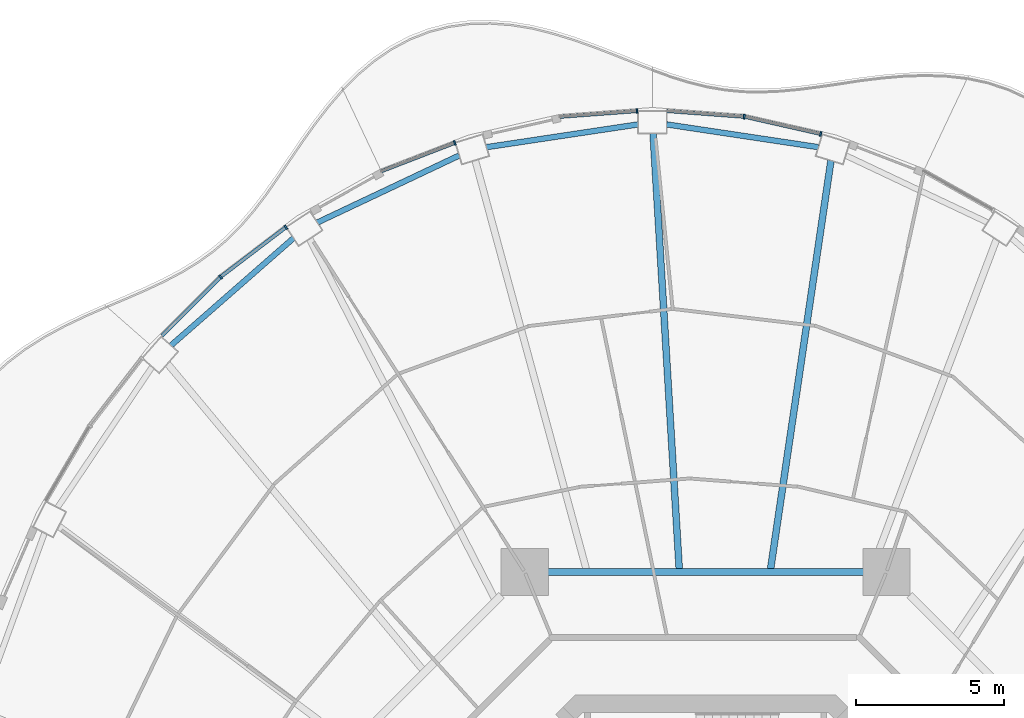
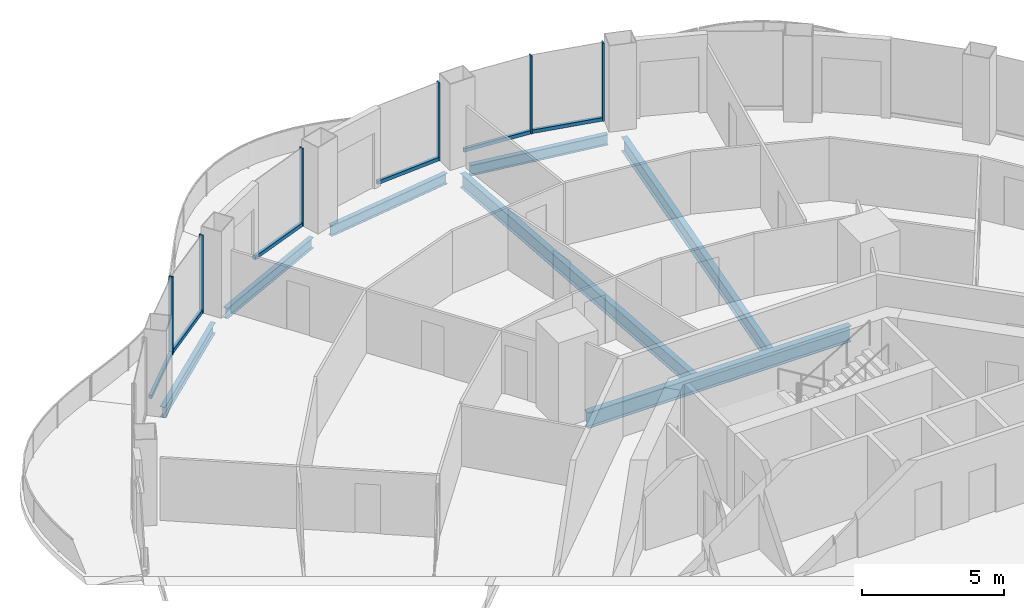
# One storey, part 6 of 18: 12 members, 7 beams, 6 elements without a shape of their own.
"""IFC4 building model written with IfcOpenShell, lengths in metres."""

from ifc_helpers import new_model, si_unit, direction, frame, origin, origin_2d, place, context, subcontext, project, spatial, rectangle, i_section, extrude, material, layer, layer_set, material_profile, profile_set, type_object, element, aggregate, save


model = new_model("IFC4")

# Units and contexts
model_context = context("Model", 3, precision=1e-05, world=origin(), true_north=direction((0.0, 1.0)))
body_context = subcontext(model_context, "Body", "Model", "MODEL_VIEW")
ifc_project = project(units=[si_unit("LENGTHUNIT", "METRE"), si_unit("AREAUNIT", "SQUARE_METRE"), si_unit("VOLUMEUNIT", "CUBIC_METRE"), si_unit("PLANEANGLEUNIT", "RADIAN"), si_unit("MASSUNIT", "GRAM", prefix="KILO")], contexts=[model_context])

# Site, building, storey
site_placement = place(None, origin())
site = spatial("IfcSite", under=ifc_project, at=site_placement, CompositionType="ELEMENT")
building_placement = place(site_placement, origin())
building = spatial("IfcBuilding", under=site, at=building_placement, Name="Nagisa Residences", CompositionType="ELEMENT")
storey_placement = place(building_placement, frame((0.0, 0.0, 249.199951171875)))
storey = spatial("IfcBuildingStorey", under=building, at=storey_placement, Name="L63", CompositionType="ELEMENT", Elevation=249.199951171875)

# Curtain wall, member
ifc_material_1 = material(Name="Concrete-coloured aluminium curtain wall system", Category="concrete")
ifc_layer = layer(ifc_material_1, 0.159912109375)
ifc_layer_set = layer_set([ifc_layer], Name="CW1 CURTAIN WALL")
curtain_wall_type = type_object("IfcCurtainWallType", Name="CW1 CURTAIN WALL", PredefinedType="NOTDEFINED", material=ifc_layer_set)
curtain_wall_1_placement = place(storey_placement, origin())
curtain_wall_1 = element("IfcCurtainWall", 1, at=curtain_wall_1_placement, inside=storey, type_object=curtain_wall_type, Name="cw:CW1:L63:10", PredefinedType="NOTDEFINED")
ifc_material_2 = material(Name="Concrete-coloured aluminium", Category="concrete")
ifc_material_profile_1 = material_profile(ifc_material_2, rectangle(XDim=0.159912109375, YDim=0.06005859375, at=origin_2d()), Name="CW1 MULLION 160x60")
ifc_profile_set_1 = profile_set([ifc_material_profile_1], Name="Concrete-coloured aluminium")
member_type_1 = type_object("IfcMemberType", Name="CW1 MULLION 160x60", PredefinedType="MULLION", material=ifc_profile_set_1)
member_1_placement = place(storey_placement, frame((3.895263671875, 29.61328125, 0.0), z_axis=(0.0, 0.0, 1.0), x_axis=(-0.2207639201, -0.975327274089, 0.0)))
member_1 = element("IfcMember", 2, at=member_1_placement, type_object=member_type_1, Name="CW1 mullion", PredefinedType="MULLION", context=body_context, shape_type="SweptSolid", body=[
    extrude(rectangle(XDim=0.159912109375, YDim=0.06005859375, at=origin_2d()), origin(), (0.0, 0.0, 1.0), 3.35009765625),
])

curtain_wall_2_placement = place(storey_placement, origin())
curtain_wall_2 = element("IfcCurtainWall", 3, at=curtain_wall_2_placement, inside=storey, type_object=curtain_wall_type, Name="cw:CW1:L63:11", PredefinedType="NOTDEFINED")
member_2_placement = place(storey_placement, frame((1.305908203125, 30.19580078125, 0.0), z_axis=(0.0, 0.0, 1.0), x_axis=(-0.074377355493, -0.997230168512, 0.0)))
member_2 = element("IfcMember", 4, at=member_2_placement, type_object=member_type_1, Name="CW1 mullion", PredefinedType="MULLION", context=body_context, shape_type="SweptSolid", body=[
    extrude(rectangle(XDim=0.159912109375, YDim=0.06005859375, at=origin_2d()), origin(), (0.0, 0.0, 1.0), 3.35009765625),
])

curtain_wall_3_placement = place(storey_placement, origin())
curtain_wall_3 = element("IfcCurtainWall", 5, at=curtain_wall_3_placement, inside=storey, type_object=curtain_wall_type, Name="cw:CW1:L63:12", PredefinedType="NOTDEFINED")
member_3_placement = place(storey_placement, frame((-2.322509765625, 30.388427734375, 0.0), z_axis=(0.0, 0.0, 1.0), x_axis=(0.074377355493, -0.997230168512, 0.0)))
member_3 = element("IfcMember", 6, at=member_3_placement, type_object=member_type_1, Name="CW1 mullion", PredefinedType="MULLION", context=body_context, shape_type="SweptSolid", body=[
    extrude(rectangle(XDim=0.159912109375, YDim=0.06005859375, at=origin_2d()), origin(), (0.0, 0.0, 1.0), 3.35009765625),
])

curtain_wall_4_placement = place(storey_placement, origin())
curtain_wall_4 = element("IfcCurtainWall", 7, at=curtain_wall_4_placement, inside=storey, type_object=curtain_wall_type, Name="cw:CW1:L63:14", PredefinedType="NOTDEFINED")
member_4_placement = place(storey_placement, frame((-8.495361328125, 29.308837890625, 0.0), z_axis=(0.0, 0.0, 1.0), x_axis=(0.360327770268, -0.932825759707, 0.0)))
member_4 = element("IfcMember", 8, at=member_4_placement, type_object=member_type_1, Name="CW1 mullion", PredefinedType="MULLION", context=body_context, shape_type="SweptSolid", body=[
    extrude(rectangle(XDim=0.159912109375, YDim=0.06005859375, at=origin_2d()), origin(), (0.0, 0.0, 1.0), 3.35009765625),
])

curtain_wall_5_placement = place(storey_placement, origin())
curtain_wall_5 = element("IfcCurtainWall", 9, at=curtain_wall_5_placement, inside=storey, type_object=curtain_wall_type, Name="cw:CW1:L63:16", PredefinedType="NOTDEFINED")
member_5_placement = place(storey_placement, frame((-14.20849609375, 26.45361328125, 0.0), z_axis=(0.0, 0.0, 1.0), x_axis=(0.605255421737, -0.79603132756, 0.0)))
member_5 = element("IfcMember", 10, at=member_5_placement, type_object=member_type_1, Name="CW1 mullion", PredefinedType="MULLION", context=body_context, shape_type="SweptSolid", body=[
    extrude(rectangle(XDim=0.159912109375, YDim=0.06005859375, at=origin_2d()), origin(), (0.0, 0.0, 1.0), 3.35009765625),
])

curtain_wall_6_placement = place(storey_placement, origin())
curtain_wall_6 = element("IfcCurtainWall", 11, at=curtain_wall_6_placement, inside=storey, type_object=curtain_wall_type, Name="cw:CW1:L63:17", PredefinedType="NOTDEFINED")
member_6_placement = place(storey_placement, frame((-16.417724609375, 24.769775390625, 0.0), z_axis=(0.0, 0.0, 1.0), x_axis=(0.706376885714, -0.707835924016, 0.0)))
member_6 = element("IfcMember", 12, at=member_6_placement, type_object=member_type_1, Name="CW1 mullion", PredefinedType="MULLION", context=body_context, shape_type="SweptSolid", body=[
    extrude(rectangle(XDim=0.159912109375, YDim=0.06005859375, at=origin_2d()), origin(), (0.0, 0.0, 1.0), 3.35009765625),
])

# Member
ifc_material_3 = material(Name="Concrete-coloured aluminium", Category="concrete")
ifc_material_profile_2 = material_profile(ifc_material_3, rectangle(XDim=0.1201171875, YDim=0.14990234375, at=origin_2d()), Name="CW1 TRANSOM 120x150")
ifc_profile_set_2 = profile_set([ifc_material_profile_2], Name="Concrete-coloured aluminium")
member_type_2 = type_object("IfcMemberType", Name="CW1 TRANSOM 120x150", PredefinedType="USERDEFINED", material=ifc_profile_set_2)
member_7_placement = place(storey_placement, frame((3.924560546875, 29.606689453125, 0.074951171875), z_axis=(-0.975324089124, 0.220777990694, 0.0), x_axis=(-0.220777990694, -0.975324089124, 0.0)))
member_7 = element("IfcMember", 13, at=member_7_placement, type_object=member_type_2, Name="CW1 transom", ObjectType="TRANSOM", PredefinedType="USERDEFINED", context=body_context, shape_type="SweptSolid", body=[
    extrude(rectangle(XDim=0.1201171875, YDim=0.14990234375, at=origin_2d()), origin(), (0.0, 0.0, 1.0), 2.666015625),
])

aggregate(curtain_wall_1, [member_1, member_7])

member_8_placement = place(storey_placement, frame((1.335693359375, 30.193603515625, 0.074951171875), z_axis=(-0.997233213085, 0.074336523458, 0.0), x_axis=(-0.074336523458, -0.997233213085, 0.0)))
member_8 = element("IfcMember", 14, at=member_8_placement, type_object=member_type_2, Name="CW1 transom", ObjectType="TRANSOM", PredefinedType="USERDEFINED", context=body_context, shape_type="SweptSolid", body=[
    extrude(rectangle(XDim=0.1201171875, YDim=0.14990234375, at=origin_2d()), origin(), (0.0, 0.0, 1.0), 2.650390625),
])

aggregate(curtain_wall_2, [member_2, member_8])

member_9_placement = place(storey_placement, frame((-2.292724609375, 30.390625, 0.074951171875), z_axis=(-0.997233213085, -0.074336523458, 0.0), x_axis=(0.074336523458, -0.997233213085, 0.0)))
member_9 = element("IfcMember", 15, at=member_9_placement, type_object=member_type_2, Name="CW1 transom", ObjectType="TRANSOM", PredefinedType="USERDEFINED", context=body_context, shape_type="SweptSolid", body=[
    extrude(rectangle(XDim=0.1201171875, YDim=0.14990234375, at=origin_2d()), origin(), (0.0, 0.0, 1.0), 2.650390625),
])

aggregate(curtain_wall_3, [member_3, member_9])

member_10_placement = place(storey_placement, frame((-8.46728515625, 29.319580078125, 0.074951171875), z_axis=(-0.932838255163, -0.360295420044, 0.0), x_axis=(0.360295420044, -0.932838255163, 0.0)))
member_10 = element("IfcMember", 16, at=member_10_placement, type_object=member_type_2, Name="CW1 transom", ObjectType="TRANSOM", PredefinedType="USERDEFINED", context=body_context, shape_type="SweptSolid", body=[
    extrude(rectangle(XDim=0.1201171875, YDim=0.14990234375, at=origin_2d()), origin(), (0.0, 0.0, 1.0), 2.6962890625),
])

aggregate(curtain_wall_4, [member_4, member_10])

member_11_placement = place(storey_placement, frame((-14.1845703125, 26.471923828125, 0.074951171875), z_axis=(-0.796022158395, -0.605267480825, 0.0), x_axis=(0.605267480825, -0.796022158395, 0.0)))
member_11 = element("IfcMember", 17, at=member_11_placement, type_object=member_type_2, Name="CW1 transom", ObjectType="TRANSOM", PredefinedType="USERDEFINED", context=body_context, shape_type="SweptSolid", body=[
    extrude(rectangle(XDim=0.1201171875, YDim=0.14990234375, at=origin_2d()), origin(), (0.0, 0.0, 1.0), 2.788818359375),
])

aggregate(curtain_wall_5, [member_5, member_11])

member_12_placement = place(storey_placement, frame((-16.396484375, 24.791015625, 0.074951171875), z_axis=(-0.707836044127, -0.706376765356, 0.0), x_axis=(0.706376765356, -0.707836044127, 0.0)))
member_12 = element("IfcMember", 18, at=member_12_placement, type_object=member_type_2, Name="CW1 transom", ObjectType="TRANSOM", PredefinedType="USERDEFINED", context=body_context, shape_type="SweptSolid", body=[
    extrude(rectangle(XDim=0.1201171875, YDim=0.14990234375, at=origin_2d()), origin(), (0.0, 0.0, 1.0), 2.84423828125),
])

aggregate(curtain_wall_6, [member_6, member_12])

# Beams
ifc_material_4 = material(Name="Steel ASTM A572 Gr 50", Category="steel")
ifc_material_profile_3 = material_profile(ifc_material_4, i_section(OverallWidth=0.2529296875, OverallDepth=0.677978515625, WebThickness=0.01171875, FlangeThickness=0.016357421875, at=origin_2d()), Name="W690x125")
ifc_profile_set_3 = profile_set([ifc_material_profile_3], Name="Steel ASTM A572 Gr 50")
beam_type_1 = type_object("IfcBeamType", Name="Inner ring beam W690x125", PredefinedType="BEAM", material=ifc_profile_set_3)
beam_1_placement = place(storey_placement, frame((5.343017578125, 14.781982421875, -0.598876953125), z_axis=(-1.0, 0.0, 0.0), x_axis=(0.0, -1.0, 0.0)))
element("IfcBeam", 19, at=beam_1_placement, inside=storey, type_object=beam_type_1, Name="beam:L63:ib2", PredefinedType="BEAM", context=body_context, shape_type="SweptSolid", body=[
    extrude(i_section(OverallWidth=0.2529296875, OverallDepth=0.677978515625, WebThickness=0.01171875, FlangeThickness=0.016357421875, at=origin_2d()), origin(), (0.0, 0.0, 1.0), 10.68603515625),
])
ifc_material_5 = material(Name="Steel ASTM A572 Gr 50", Category="steel")
ifc_material_profile_4 = material_profile(ifc_material_5, i_section(OverallWidth=0.18994140625, OverallDepth=0.45703125, WebThickness=0.009033203125, FlangeThickness=0.014404296875, at=origin_2d()), Name="W460x74")
ifc_profile_set_4 = profile_set([ifc_material_profile_4], Name="Steel ASTM A572 Gr 50")
beam_type_2 = type_object("IfcBeamType", Name="Perimeter ring beam W460x74", PredefinedType="BEAM", material=ifc_profile_set_4)
for number, where, z_axis, x_axis, name in (
    (20, (3.8203125, 29.16357421875, -0.488525390625), (-0.988909463745, 0.148519603133, 0.0), (-0.148519603133, -0.988909463745, 0.0), "beam:L63:pb06"),
    (21, (-2.2802734375, 29.935546875, -0.488525390625), (-0.988909463745, -0.148519603133, 0.0), (0.148519603133, -0.988909463745, 0.0), "beam:L63:pb07"),
):
    element("IfcBeam", number, at=place(storey_placement, frame(where, z_axis=z_axis, x_axis=x_axis)), inside=storey, type_object=beam_type_2, Name=name, PredefinedType="BEAM", context=body_context, shape_type="SweptSolid", body=[
        extrude(i_section(OverallWidth=0.18994140625, OverallDepth=0.45703125, WebThickness=0.009033203125, FlangeThickness=0.014404296875, at=origin_2d()), origin(), (0.0, 0.0, 1.0), 5.19775390625),
    ])
beam_2_placement = place(storey_placement, frame((-8.339111328125, 28.884033203125, -0.488525390625), z_axis=(-0.904133867308, -0.42724928319, 0.0), x_axis=(0.42724928319, -0.904133867308, 0.0)))
element("IfcBeam", 22, at=beam_2_placement, inside=storey, type_object=beam_type_2, Name="beam:L63:pb08", PredefinedType="BEAM", context=body_context, shape_type="SweptSolid", body=[
    extrude(i_section(OverallWidth=0.18994140625, OverallDepth=0.45703125, WebThickness=0.009033203125, FlangeThickness=0.014404296875, at=origin_2d()), origin(), (0.0, 0.0, 1.0), 5.317138671875),
])
beam_3_placement = place(storey_placement, frame((-13.94970703125, 26.085693359375, -0.488525390625), z_axis=(-0.75242320672, -0.65867998147, 0.0), x_axis=(0.65867998147, -0.75242320672, 0.0)))
element("IfcBeam", 23, at=beam_3_placement, inside=storey, type_object=beam_type_2, Name="beam:L63:pb09", PredefinedType="BEAM", context=body_context, shape_type="SweptSolid", body=[
    extrude(i_section(OverallWidth=0.18994140625, OverallDepth=0.45703125, WebThickness=0.009033203125, FlangeThickness=0.014404296875, at=origin_2d()), origin(), (0.0, 0.0, 1.0), 5.5185546875),
])
ifc_material_6 = material(Name="Steel ASTM A572 Gr 50", Category="steel")
ifc_material_profile_5 = material_profile(ifc_material_6, i_section(OverallWidth=0.22802734375, OverallDepth=0.60302734375, WebThickness=0.010498046875, FlangeThickness=0.014892578125, at=origin_2d()), Name="W610x101")
ifc_profile_set_5 = profile_set([ifc_material_profile_5], Name="Steel ASTM A572 Gr 50")
beam_type_3 = type_object("IfcBeamType", Name="Radial beam W610x101", PredefinedType="BEAM", material=ifc_profile_set_5)
beam_4_placement = place(storey_placement, frame((4.244140625, 28.711181640625, -0.5615234375), z_axis=(-0.146228868188, -0.989250786256, 0.0), x_axis=(0.989250786256, -0.146228868188, 0.0)))
element("IfcBeam", 24, at=beam_4_placement, inside=storey, type_object=beam_type_3, Name="beam:L63:rb06", PredefinedType="BEAM", context=body_context, shape_type="SweptSolid", body=[
    extrude(i_section(OverallWidth=0.22802734375, OverallDepth=0.60302734375, WebThickness=0.010498046875, FlangeThickness=0.014892578125, at=origin_2d()), origin(), (0.0, 0.0, 1.0), 13.97265625),
])
beam_5_placement = place(storey_placement, frame((-1.777099609375, 29.627685546875, -0.5615234375), z_axis=(0.059871531939, -0.998206090776, 0.0), x_axis=(0.998206090776, 0.059871531939, 0.0)))
element("IfcBeam", 25, at=beam_5_placement, inside=storey, type_object=beam_type_3, Name="beam:L63:rb07", PredefinedType="BEAM", context=body_context, shape_type="SweptSolid", body=[
    extrude(i_section(OverallWidth=0.22802734375, OverallDepth=0.60302734375, WebThickness=0.010498046875, FlangeThickness=0.014892578125, at=origin_2d()), origin(), (0.0, 0.0, 1.0), 14.765380859375),
])

save(model, "model.ifc")
